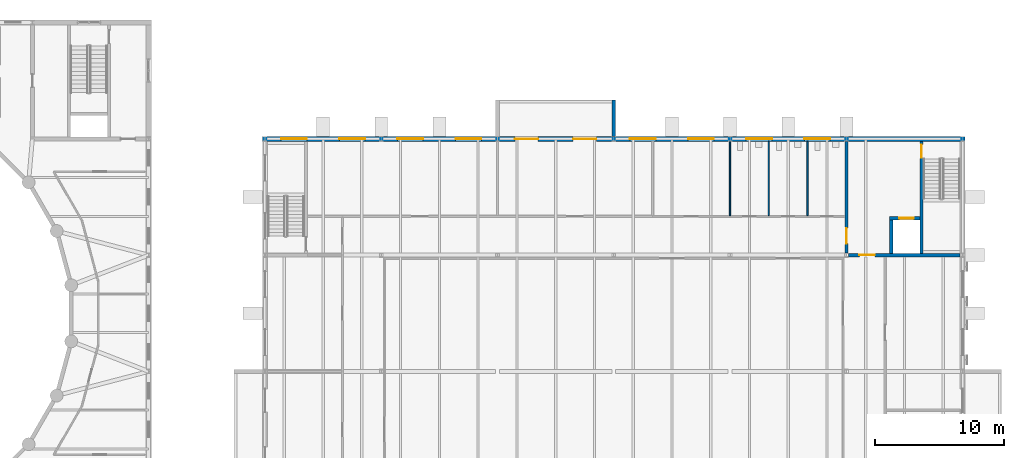
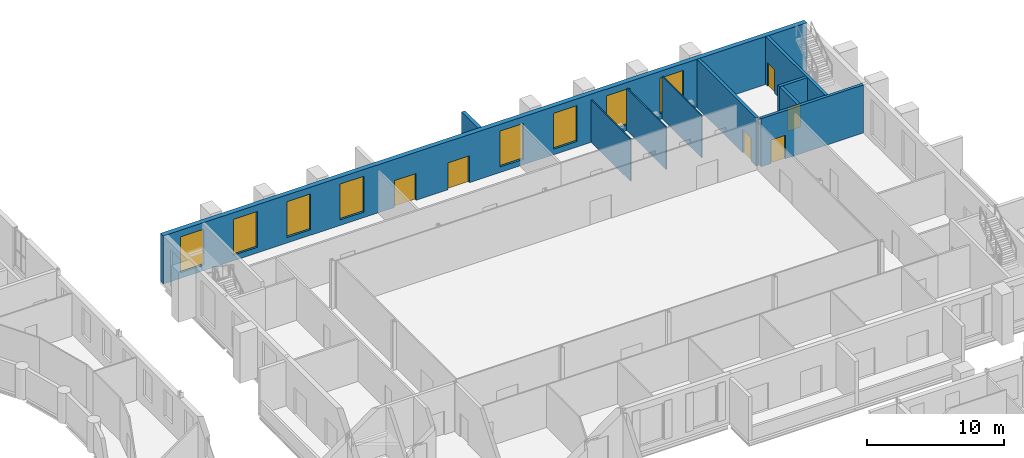
# One storey, part 93 of 134: 10 walls, 8 windows, 6 doors, 14 openings.
"""IFC4 building model written with IfcOpenShell, lengths in metres."""

from ifc_helpers import new_model, si_unit, direction, frame, frame_2d, origin, place, context, subcontext, project, spatial, rectangle, extrude, material, layer, layer_set, type_object, element, fill, save


model = new_model("IFC4")

# Units and contexts
model_context = context("Model", 3, precision=1e-05, world=origin(), true_north=direction((0.0, 1.0)))
body_context = subcontext(model_context, "Body", "Model", "MODEL_VIEW")
ifc_project = project(units=[si_unit("LENGTHUNIT", "METRE"), si_unit("AREAUNIT", "SQUARE_METRE"), si_unit("VOLUMEUNIT", "CUBIC_METRE"), si_unit("PLANEANGLEUNIT", "RADIAN"), si_unit("MASSUNIT", "GRAM", prefix="KILO")], contexts=[model_context])

# Site, building, storey
site_placement = place(None, origin())
site = spatial("IfcSite", under=ifc_project, at=site_placement, CompositionType="ELEMENT")
building_placement = place(site_placement, origin())
building = spatial("IfcBuilding", under=site, at=building_placement, Name="Golden Quay Civic Hall", CompositionType="ELEMENT")
storey_placement = place(building_placement, frame((0.0, 0.0, 5.39990234375)))
storey = spatial("IfcBuildingStorey", under=building, at=storey_placement, Name="L01", CompositionType="ELEMENT", Elevation=5.39990234375)

# Wall, openings, doors, windows
ifc_material_1 = material(Name="Brick, dark clay facing", Category="masonry")
ifc_layer_1 = layer(ifc_material_1, 0.39990234375)
ifc_layer_set_1 = layer_set([ifc_layer_1], Name="Brick external wall 400 fire EI 120")
wall_type_1 = type_object("IfcWallType", Name="Brick external wall 400 fire EI 120", PredefinedType="STANDARD", material=ifc_layer_set_1)
wall_1_placement = place(storey_placement, frame((116.800048828125, 99.0, 0.0), z_axis=(0.0, 0.0, 1.0), x_axis=(1.0, 0.0, 0.0)))
wall_1 = element("IfcWall", 1, at=wall_1_placement, inside=storey, type_object=wall_type_1, Name="L01 external wall N", PredefinedType="STANDARD", context=body_context, shape_type="SweptSolid", body=[
    extrude(rectangle(XDim=54.39990234375, YDim=0.39990234375, at=frame_2d((27.199951171875, 0.0))), origin(), (0.0, 0.0, 1.0), 4.300048828125),
])
opening_1_placement = place(wall_1_placement, frame((1.449951171875, 0.0, 0.5)))
opening_1 = element("IfcOpeningElement", 2, at=opening_1_placement, cuts=wall_1, Name="Opening WN19", PredefinedType="OPENING", context=body_context, shape_type="SweptSolid", body=[
    extrude(rectangle(XDim=2.0, YDim=3.199951171875, at=frame_2d((1.0, 1.60009765625))), frame((0.0, 0.2099609375, 0.0), z_axis=(0.0, -1.0, 0.0), x_axis=(1.0, 0.0, 0.0)), (0.0, 0.0, 1.0), 0.419921875),
])
opening_2_placement = place(wall_1_placement, frame((5.949951171875, 0.0, 0.5)))
opening_2 = element("IfcOpeningElement", 3, at=opening_2_placement, cuts=wall_1, Name="Opening WN19", PredefinedType="OPENING", context=body_context, shape_type="SweptSolid", body=[
    extrude(rectangle(XDim=2.0, YDim=3.199951171875, at=frame_2d((1.0, 1.60009765625))), frame((0.0, 0.2099609375, 0.0), z_axis=(0.0, -1.0, 0.0), x_axis=(1.0, 0.0, 0.0)), (0.0, 0.0, 1.0), 0.419921875),
])
opening_3_placement = place(wall_1_placement, frame((10.449951171875, 0.0, 0.5)))
opening_3 = element("IfcOpeningElement", 4, at=opening_3_placement, cuts=wall_1, Name="Opening WN19", PredefinedType="OPENING", context=body_context, shape_type="SweptSolid", body=[
    extrude(rectangle(XDim=2.0, YDim=3.199951171875, at=frame_2d((1.0, 1.60009765625))), frame((0.0, 0.2099609375, 0.0), z_axis=(0.0, -1.0, 0.0), x_axis=(1.0, 0.0, 0.0)), (0.0, 0.0, 1.0), 0.419921875),
])
opening_4_placement = place(wall_1_placement, frame((14.949951171875, 0.0, 0.5)))
opening_4 = element("IfcOpeningElement", 5, at=opening_4_placement, cuts=wall_1, Name="Opening WN19", PredefinedType="OPENING", context=body_context, shape_type="SweptSolid", body=[
    extrude(rectangle(XDim=2.0, YDim=3.199951171875, at=frame_2d((1.0, 1.60009765625))), frame((0.0, 0.2099609375, 0.0), z_axis=(0.0, -1.0, 0.0), x_axis=(1.0, 0.0, 0.0)), (0.0, 0.0, 1.0), 0.419921875),
])
opening_5_placement = place(wall_1_placement, frame((28.449951171875, 0.0, 0.5)))
opening_5 = element("IfcOpeningElement", 6, at=opening_5_placement, cuts=wall_1, Name="Opening WN19", PredefinedType="OPENING", context=body_context, shape_type="SweptSolid", body=[
    extrude(rectangle(XDim=2.0, YDim=3.199951171875, at=frame_2d((1.0, 1.60009765625))), frame((0.0, 0.2099609375, 0.0), z_axis=(0.0, -1.0, 0.0), x_axis=(1.0, 0.0, 0.0)), (0.0, 0.0, 1.0), 0.419921875),
])
opening_6_placement = place(wall_1_placement, frame((32.949951171875, 0.0, 0.5)))
opening_6 = element("IfcOpeningElement", 7, at=opening_6_placement, cuts=wall_1, Name="Opening WN19", PredefinedType="OPENING", context=body_context, shape_type="SweptSolid", body=[
    extrude(rectangle(XDim=2.0, YDim=3.199951171875, at=frame_2d((1.0, 1.60009765625))), frame((0.0, 0.2099609375, 0.0), z_axis=(0.0, -1.0, 0.0), x_axis=(1.0, 0.0, 0.0)), (0.0, 0.0, 1.0), 0.419921875),
])
opening_7_placement = place(wall_1_placement, frame((37.449951171875, 0.0, 0.5)))
opening_7 = element("IfcOpeningElement", 8, at=opening_7_placement, cuts=wall_1, Name="Opening WN19", PredefinedType="OPENING", context=body_context, shape_type="SweptSolid", body=[
    extrude(rectangle(XDim=2.0, YDim=3.199951171875, at=frame_2d((1.0, 1.60009765625))), frame((0.0, 0.2099609375, 0.0), z_axis=(0.0, -1.0, 0.0), x_axis=(1.0, 0.0, 0.0)), (0.0, 0.0, 1.0), 0.419921875),
])
opening_8_placement = place(wall_1_placement, frame((41.949951171875, 0.0, 0.5)))
opening_8 = element("IfcOpeningElement", 9, at=opening_8_placement, cuts=wall_1, Name="Opening WN19", PredefinedType="OPENING", context=body_context, shape_type="SweptSolid", body=[
    extrude(rectangle(XDim=2.0, YDim=3.199951171875, at=frame_2d((1.0, 1.60009765625))), frame((0.0, 0.2099609375, 0.0), z_axis=(0.0, -1.0, 0.0), x_axis=(1.0, 0.0, 0.0)), (0.0, 0.0, 1.0), 0.419921875),
])
opening_9_placement = place(wall_1_placement, frame((19.550048828125, 0.0, 0.0)))
opening_9 = element("IfcOpeningElement", 10, at=opening_9_placement, cuts=wall_1, Name="Opening L01-D018", PredefinedType="OPENING", context=body_context, shape_type="SweptSolid", body=[
    extrude(rectangle(XDim=1.800048828125, YDim=2.39990234375, at=frame_2d((0.89990234375, 1.199951171875))), frame((0.0, 0.2099609375, 0.0), z_axis=(0.0, -1.0, 0.0), x_axis=(1.0, 0.0, 0.0)), (0.0, 0.0, 1.0), 0.419921875),
])
opening_10_placement = place(wall_1_placement, frame((24.050048828125, 0.0, 0.0)))
opening_10 = element("IfcOpeningElement", 11, at=opening_10_placement, cuts=wall_1, Name="Opening L01-D019", PredefinedType="OPENING", context=body_context, shape_type="SweptSolid", body=[
    extrude(rectangle(XDim=1.800048828125, YDim=2.39990234375, at=frame_2d((0.89990234375, 1.199951171875))), frame((0.0, 0.2099609375, 0.0), z_axis=(0.0, -1.0, 0.0), x_axis=(1.0, 0.0, 0.0)), (0.0, 0.0, 1.0), 0.419921875),
])
ifc_material_2 = material(Name="Aluminium frame, glazed", Category="aluminium")
door_type_1 = type_object("IfcDoorType", Name="Glazed double terrace door 1800 x 2400", OperationType="DOUBLE_DOOR_SINGLE_SWING", PredefinedType="DOOR", material=ifc_material_2)
door_1_placement = place(opening_9_placement, origin())
door_1 = element("IfcDoor", 12, at=door_1_placement, inside=storey, type_object=door_type_1, Name="Loggia door L01 N202", OperationType="DOUBLE_DOOR_SINGLE_SWING", OverallHeight=2.39990234375, OverallWidth=1.800048828125, PredefinedType="DOOR", context=body_context, shape_type="SweptSolid", body=[
    extrude(rectangle(XDim=1.800048828125, YDim=2.39990234375, at=frame_2d((0.89990234375, 1.199951171875))), frame((0.0, 0.02490234375, 0.0), z_axis=(0.0, -1.0, 0.0), x_axis=(1.0, 0.0, 0.0)), (0.0, 0.0, 1.0), 0.050048828125),
])
fill(opening_9, door_1)
door_2_placement = place(opening_10_placement, origin())
door_2 = element("IfcDoor", 13, at=door_2_placement, inside=storey, type_object=door_type_1, Name="Loggia door L01 N247", OperationType="DOUBLE_DOOR_SINGLE_SWING", OverallHeight=2.39990234375, OverallWidth=1.800048828125, PredefinedType="DOOR", context=body_context, shape_type="SweptSolid", body=[
    extrude(rectangle(XDim=1.800048828125, YDim=2.39990234375, at=frame_2d((0.89990234375, 1.199951171875))), frame((0.0, 0.02490234375, 0.0), z_axis=(0.0, -1.0, 0.0), x_axis=(1.0, 0.0, 0.0)), (0.0, 0.0, 1.0), 0.050048828125),
])
fill(opening_10, door_2)
ifc_material_3 = material(Name="Timber", Category="wood")
window_type = type_object("IfcWindowType", Name="Tall timber window 2000 x 3200", PartitioningType="SINGLE_PANEL", PredefinedType="WINDOW", material=ifc_material_3)
window_1_placement = place(opening_1_placement, origin())
window_1 = element("IfcWindow", 14, at=window_1_placement, inside=storey, type_object=window_type, Name="L01 window N22", OverallHeight=3.199951171875, OverallWidth=2.0, PartitioningType="SINGLE_PANEL", PredefinedType="WINDOW", context=body_context, shape_type="SweptSolid", body=[
    extrude(rectangle(XDim=2.0, YDim=3.199951171875, at=frame_2d((1.0, 1.60009765625))), frame((0.0, 0.030029296875, 0.0), z_axis=(0.0, -1.0, 0.0), x_axis=(1.0, 0.0, 0.0)), (0.0, 0.0, 1.0), 0.06005859375),
])
fill(opening_1, window_1)
window_2_placement = place(opening_2_placement, origin())
window_2 = element("IfcWindow", 15, at=window_2_placement, inside=storey, type_object=window_type, Name="L01 window N67", OverallHeight=3.199951171875, OverallWidth=2.0, PartitioningType="SINGLE_PANEL", PredefinedType="WINDOW", context=body_context, shape_type="SweptSolid", body=[
    extrude(rectangle(XDim=2.0, YDim=3.199951171875, at=frame_2d((1.0, 1.60009765625))), frame((0.0, 0.030029296875, 0.0), z_axis=(0.0, -1.0, 0.0), x_axis=(1.0, 0.0, 0.0)), (0.0, 0.0, 1.0), 0.06005859375),
])
fill(opening_2, window_2)
window_3_placement = place(opening_3_placement, origin())
window_3 = element("IfcWindow", 16, at=window_3_placement, inside=storey, type_object=window_type, Name="L01 window N112", OverallHeight=3.199951171875, OverallWidth=2.0, PartitioningType="SINGLE_PANEL", PredefinedType="WINDOW", context=body_context, shape_type="SweptSolid", body=[
    extrude(rectangle(XDim=2.0, YDim=3.199951171875, at=frame_2d((1.0, 1.60009765625))), frame((0.0, 0.030029296875, 0.0), z_axis=(0.0, -1.0, 0.0), x_axis=(1.0, 0.0, 0.0)), (0.0, 0.0, 1.0), 0.06005859375),
])
fill(opening_3, window_3)
window_4_placement = place(opening_4_placement, origin())
window_4 = element("IfcWindow", 17, at=window_4_placement, inside=storey, type_object=window_type, Name="L01 window N157", OverallHeight=3.199951171875, OverallWidth=2.0, PartitioningType="SINGLE_PANEL", PredefinedType="WINDOW", context=body_context, shape_type="SweptSolid", body=[
    extrude(rectangle(XDim=2.0, YDim=3.199951171875, at=frame_2d((1.0, 1.60009765625))), frame((0.0, 0.030029296875, 0.0), z_axis=(0.0, -1.0, 0.0), x_axis=(1.0, 0.0, 0.0)), (0.0, 0.0, 1.0), 0.06005859375),
])
fill(opening_4, window_4)
window_5_placement = place(opening_5_placement, origin())
window_5 = element("IfcWindow", 18, at=window_5_placement, inside=storey, type_object=window_type, Name="L01 window N292", OverallHeight=3.199951171875, OverallWidth=2.0, PartitioningType="SINGLE_PANEL", PredefinedType="WINDOW", context=body_context, shape_type="SweptSolid", body=[
    extrude(rectangle(XDim=2.0, YDim=3.199951171875, at=frame_2d((1.0, 1.60009765625))), frame((0.0, 0.030029296875, 0.0), z_axis=(0.0, -1.0, 0.0), x_axis=(1.0, 0.0, 0.0)), (0.0, 0.0, 1.0), 0.06005859375),
])
fill(opening_5, window_5)
window_6_placement = place(opening_6_placement, origin())
window_6 = element("IfcWindow", 19, at=window_6_placement, inside=storey, type_object=window_type, Name="L01 window N337", OverallHeight=3.199951171875, OverallWidth=2.0, PartitioningType="SINGLE_PANEL", PredefinedType="WINDOW", context=body_context, shape_type="SweptSolid", body=[
    extrude(rectangle(XDim=2.0, YDim=3.199951171875, at=frame_2d((1.0, 1.60009765625))), frame((0.0, 0.030029296875, 0.0), z_axis=(0.0, -1.0, 0.0), x_axis=(1.0, 0.0, 0.0)), (0.0, 0.0, 1.0), 0.06005859375),
])
fill(opening_6, window_6)
window_7_placement = place(opening_7_placement, origin())
window_7 = element("IfcWindow", 20, at=window_7_placement, inside=storey, type_object=window_type, Name="L01 window N382", OverallHeight=3.199951171875, OverallWidth=2.0, PartitioningType="SINGLE_PANEL", PredefinedType="WINDOW", context=body_context, shape_type="SweptSolid", body=[
    extrude(rectangle(XDim=2.0, YDim=3.199951171875, at=frame_2d((1.0, 1.60009765625))), frame((0.0, 0.030029296875, 0.0), z_axis=(0.0, -1.0, 0.0), x_axis=(1.0, 0.0, 0.0)), (0.0, 0.0, 1.0), 0.06005859375),
])
fill(opening_7, window_7)
window_8_placement = place(opening_8_placement, origin())
window_8 = element("IfcWindow", 21, at=window_8_placement, inside=storey, type_object=window_type, Name="L01 window N427", OverallHeight=3.199951171875, OverallWidth=2.0, PartitioningType="SINGLE_PANEL", PredefinedType="WINDOW", context=body_context, shape_type="SweptSolid", body=[
    extrude(rectangle(XDim=2.0, YDim=3.199951171875, at=frame_2d((1.0, 1.60009765625))), frame((0.0, 0.030029296875, 0.0), z_axis=(0.0, -1.0, 0.0), x_axis=(1.0, 0.0, 0.0)), (0.0, 0.0, 1.0), 0.06005859375),
])
fill(opening_8, window_8)

# Wall
ifc_material_4 = material(Name="Brick, dark clay facing", Category="masonry")
ifc_layer_2 = layer(ifc_material_4, 0.300048828125)
ifc_layer_set_2 = layer_set([ifc_layer_2], Name="Brick loggia wall 300")
wall_type_2 = type_object("IfcWallType", Name="Brick loggia wall 300", PredefinedType="STANDARD", material=ifc_layer_set_2)
wall_2_placement = place(storey_placement, frame((144.0, 99.179931640625, 0.0), z_axis=(0.0, 0.0, 1.0), x_axis=(0.0, 1.0, 0.0)))
element("IfcWall", 22, at=wall_2_placement, inside=storey, type_object=wall_type_2, Name="Brick loggia wall 300 L01 19", PredefinedType="STANDARD", context=body_context, shape_type="SweptSolid", body=[
    extrude(rectangle(XDim=2.820068359375, YDim=0.300048828125, at=frame_2d((1.41015625, 0.0))), origin(), (0.0, 0.0, 1.0), 3.97021484375),
])

# Wall, opening, door
ifc_material_5 = material(Name="Concrete C40/50", Category="concrete")
ifc_layer_3 = layer(ifc_material_5, 0.25)
ifc_layer_set_3 = layer_set([ifc_layer_3], Name="Concrete core wall 250, Concrete C40/50")
wall_type_3 = type_object("IfcWallType", Name="Concrete core wall 250", PredefinedType="SHEAR", material=ifc_layer_set_3)
wall_3_placement = place(storey_placement, frame((167.824951171875, 98.800048828125, 0.0), z_axis=(0.0, 0.0, 1.0), x_axis=(0.0, -1.0, 0.0)))
wall_3 = element("IfcWall", 23, at=wall_3_placement, inside=storey, type_object=wall_type_3, Name="L01 core wall E stair east", PredefinedType="SHEAR", context=body_context, shape_type="SweptSolid", body=[
    extrude(rectangle(XDim=8.675048828125, YDim=0.25, at=frame_2d((4.33740234375, 0.0))), origin(), (0.0, 0.0, 1.0), 4.300048828125),
])
opening_11_placement = place(wall_3_placement, frame((0.25, 0.0, 0.0)))
opening_11 = element("IfcOpeningElement", 24, at=opening_11_placement, cuts=wall_3, Name="Opening L01-D218", PredefinedType="OPENING", context=body_context, shape_type="SweptSolid", body=[
    extrude(rectangle(XDim=1.0, YDim=2.10009765625, at=frame_2d((0.5, 1.050048828125))), frame((0.0, 0.135009765625, 0.0), z_axis=(0.0, -1.0, 0.0), x_axis=(1.0, 0.0, 0.0)), (0.0, 0.0, 1.0), 0.27001953125),
])
ifc_material_6 = material(Name="Steel", Category="steel")
door_type_2 = type_object("IfcDoorType", Name="Steel fire door FD60 1000 x 2100", OperationType="SINGLE_SWING_LEFT", PredefinedType="DOOR", material=ifc_material_6)
door_3_placement = place(opening_11_placement, frame((1.0, 0.0, 0.0), z_axis=(0.0, 0.0, 1.0), x_axis=(-1.0, 0.0, 0.0)))
door_3 = element("IfcDoor", 25, at=door_3_placement, inside=storey, type_object=door_type_2, Name="Stair door LB-E", OperationType="SINGLE_SWING_RIGHT", OverallHeight=2.10009765625, OverallWidth=1.0, PredefinedType="DOOR", context=body_context, shape_type="SweptSolid", body=[
    extrude(rectangle(XDim=1.0, YDim=2.10009765625, at=frame_2d((0.5, 1.050048828125))), frame((0.0, 0.025146484375, 0.0), z_axis=(0.0, -1.0, 0.0), x_axis=(1.0, 0.0, 0.0)), (0.0, 0.0, 1.0), 0.050048828125),
])
fill(opening_11, door_3)

wall_4_placement = place(storey_placement, frame((162.0, 98.800048828125, 0.0), z_axis=(0.0, 0.0, 1.0), x_axis=(0.0, -1.0, 0.0)))
wall_4 = element("IfcWall", 26, at=wall_4_placement, inside=storey, type_object=wall_type_3, Name="L01 core wall E east boundary", PredefinedType="SHEAR", context=body_context, shape_type="SweptSolid", body=[
    extrude(rectangle(XDim=8.650146484375, YDim=0.25, at=frame_2d((4.3251953125, 0.0))), origin(), (0.0, 0.0, 1.0), 4.300048828125),
])
opening_12_placement = place(wall_4_placement, frame((6.699951171875, 0.0, 0.0)))
opening_12 = element("IfcOpeningElement", 27, at=opening_12_placement, cuts=wall_4, Name="Opening L01-D221", PredefinedType="OPENING", context=body_context, shape_type="SweptSolid", body=[
    extrude(rectangle(XDim=1.199951171875, YDim=2.10009765625, at=frame_2d((0.60009765625, 1.050048828125))), frame((0.0, 0.135009765625, 0.0), z_axis=(0.0, -1.0, 0.0), x_axis=(1.0, 0.0, 0.0)), (0.0, 0.0, 1.0), 0.27001953125),
])
ifc_material_7 = material(Name="Steel", Category="steel")
door_type_3 = type_object("IfcDoorType", Name="Steel fire door FD60 1200 x 2100", OperationType="SINGLE_SWING_LEFT", PredefinedType="DOOR", material=ifc_material_7)
door_4_placement = place(opening_12_placement, frame((1.199951171875, 0.0, 0.0), z_axis=(0.0, 0.0, 1.0), x_axis=(-1.0, 0.0, 0.0)))
door_4 = element("IfcDoor", 28, at=door_4_placement, inside=storey, type_object=door_type_3, Name="Lobby door LB-E", OperationType="SINGLE_SWING_RIGHT", OverallHeight=2.10009765625, OverallWidth=1.199951171875, PredefinedType="DOOR", context=body_context, shape_type="SweptSolid", body=[
    extrude(rectangle(XDim=1.199951171875, YDim=2.10009765625, at=frame_2d((0.599853515625, 1.050048828125))), frame((0.0, 0.025146484375, 0.0), z_axis=(0.0, -1.0, 0.0), x_axis=(1.0, 0.0, 0.0)), (0.0, 0.0, 1.0), 0.050048828125),
])
fill(opening_12, door_4)

wall_5_placement = place(storey_placement, frame((170.800048828125, 90.0, 0.0), z_axis=(0.0, 0.0, 1.0), x_axis=(-1.0, 0.0, 0.0)))
wall_5 = element("IfcWall", 29, at=wall_5_placement, inside=storey, type_object=wall_type_3, Name="L01 core wall E north boundary", PredefinedType="SHEAR", context=body_context, shape_type="SweptSolid", body=[
    extrude(rectangle(XDim=8.650146484375, YDim=0.25, at=frame_2d((4.3251953125, 0.0))), origin(), (0.0, 0.0, 1.0), 4.300048828125),
])
opening_13_placement = place(wall_5_placement, frame((6.60009765625, 0.0, 0.0)))
opening_13 = element("IfcOpeningElement", 30, at=opening_13_placement, cuts=wall_5, Name="Opening L01-D220", PredefinedType="OPENING", context=body_context, shape_type="SweptSolid", body=[
    extrude(rectangle(XDim=1.199951171875, YDim=2.10009765625, at=frame_2d((0.60009765625, 1.050048828125))), frame((0.0, 0.135009765625, 0.0), z_axis=(0.0, -1.0, 0.0), x_axis=(1.0, 0.0, 0.0)), (0.0, 0.0, 1.0), 0.27001953125),
])
door_5_placement = place(opening_13_placement, origin())
door_5 = element("IfcDoor", 31, at=door_5_placement, inside=storey, type_object=door_type_3, Name="Lobby door LB-E", OperationType="SINGLE_SWING_LEFT", OverallHeight=2.10009765625, OverallWidth=1.199951171875, PredefinedType="DOOR", context=body_context, shape_type="SweptSolid", body=[
    extrude(rectangle(XDim=1.199951171875, YDim=2.10009765625, at=frame_2d((0.60009765625, 1.050048828125))), frame((0.0, 0.02490234375, 0.0), z_axis=(0.0, -1.0, 0.0), x_axis=(1.0, 0.0, 0.0)), (0.0, 0.0, 1.0), 0.050048828125),
])
fill(opening_13, door_5)

wall_6_placement = place(storey_placement, frame((167.699951171875, 92.85009765625, 0.0), z_axis=(0.0, 0.0, 1.0), x_axis=(-1.0, 0.0, 0.0)))
wall_6 = element("IfcWall", 32, at=wall_6_placement, inside=storey, type_object=wall_type_3, Name="L01 core wall E lift south", PredefinedType="SHEAR", context=body_context, shape_type="SweptSolid", body=[
    extrude(rectangle(XDim=2.349853515625, YDim=0.25, at=frame_2d((1.1748046875, 0.0))), origin(), (0.0, 0.0, 1.0), 4.300048828125),
])
opening_14_placement = place(wall_6_placement, frame((0.5, 0.0, 0.0)))
opening_14 = element("IfcOpeningElement", 33, at=opening_14_placement, cuts=wall_6, Name="Opening L01-D219", PredefinedType="OPENING", context=body_context, shape_type="SweptSolid", body=[
    extrude(rectangle(XDim=1.10009765625, YDim=2.10009765625, at=frame_2d((0.550048828125, 1.050048828125))), frame((0.0, 0.135009765625, 0.0), z_axis=(0.0, -1.0, 0.0), x_axis=(1.0, 0.0, 0.0)), (0.0, 0.0, 1.0), 0.27001953125),
])
ifc_material_8 = material(Name="Steel", Category="steel")
door_type_4 = type_object("IfcDoorType", Name="Lift landing door 1100 x 2100", OperationType="SLIDING_TO_LEFT", PredefinedType="DOOR", material=ifc_material_8)
door_6_placement = place(opening_14_placement, origin())
door_6 = element("IfcDoor", 34, at=door_6_placement, inside=storey, type_object=door_type_4, Name="Lift landing door", OperationType="SLIDING_TO_LEFT", OverallHeight=2.10009765625, OverallWidth=1.10009765625, PredefinedType="DOOR", context=body_context, shape_type="SweptSolid", body=[
    extrude(rectangle(XDim=1.10009765625, YDim=2.10009765625, at=frame_2d((0.550048828125, 1.050048828125))), frame((0.0, 0.02490234375, 0.0), z_axis=(0.0, -1.0, 0.0), x_axis=(1.0, 0.0, 0.0)), (0.0, 0.0, 1.0), 0.050048828125),
])
fill(opening_14, door_6)

# Walls
wall_7_placement = place(storey_placement, frame((165.47509765625, 92.72509765625, 0.0), z_axis=(0.0, 0.0, 1.0), x_axis=(0.0, -1.0, 0.0)))
element("IfcWall", 35, at=wall_7_placement, inside=storey, type_object=wall_type_3, Name="L01 core wall E lift east", PredefinedType="SHEAR", context=body_context, shape_type="SweptSolid", body=[
    extrude(rectangle(XDim=2.60009765625, YDim=0.25, at=frame_2d((1.300048828125, 0.0))), origin(), (0.0, 0.0, 1.0), 4.300048828125),
])
ifc_material_9 = material(Name="Plasterboard on steel studs", Category="steel")
ifc_layer_4 = layer(ifc_material_9, 0.10009765625)
ifc_layer_set_4 = layer_set([ifc_layer_4], Name="Partition 100 stud")
wall_type_4 = type_object("IfcWallType", Name="Partition 100 stud", PredefinedType="PARTITIONING", material=ifc_layer_set_4)
for number, where, z_axis, x_axis, name in (
    (36, (153.0, 93.050048828125, 0.0), (0.0, 0.0, 1.0), (0.0, 1.0, 0.0), "L01 partition V36-30.05"),
    (37, (156.0, 93.050048828125, 0.0), (0.0, 0.0, 1.0), (0.0, 1.0, 0.0), "L01 partition V39-30.05"),
    (38, (159.0, 93.050048828125, 0.0), (0.0, 0.0, 1.0), (0.0, 1.0, 0.0), "L01 partition V42-30.05"),
):
    element("IfcWall", number, at=place(storey_placement, frame(where, z_axis=z_axis, x_axis=x_axis)), inside=storey, type_object=wall_type_4, Name=name, PredefinedType="PARTITIONING", context=body_context, shape_type="SweptSolid", body=[
        extrude(rectangle(XDim=5.75, YDim=0.10009765625, at=frame_2d((2.875, 0.0))), origin(), (0.0, 0.0, 1.0), 3.780029296875),
    ])

save(model, "model.ifc")
